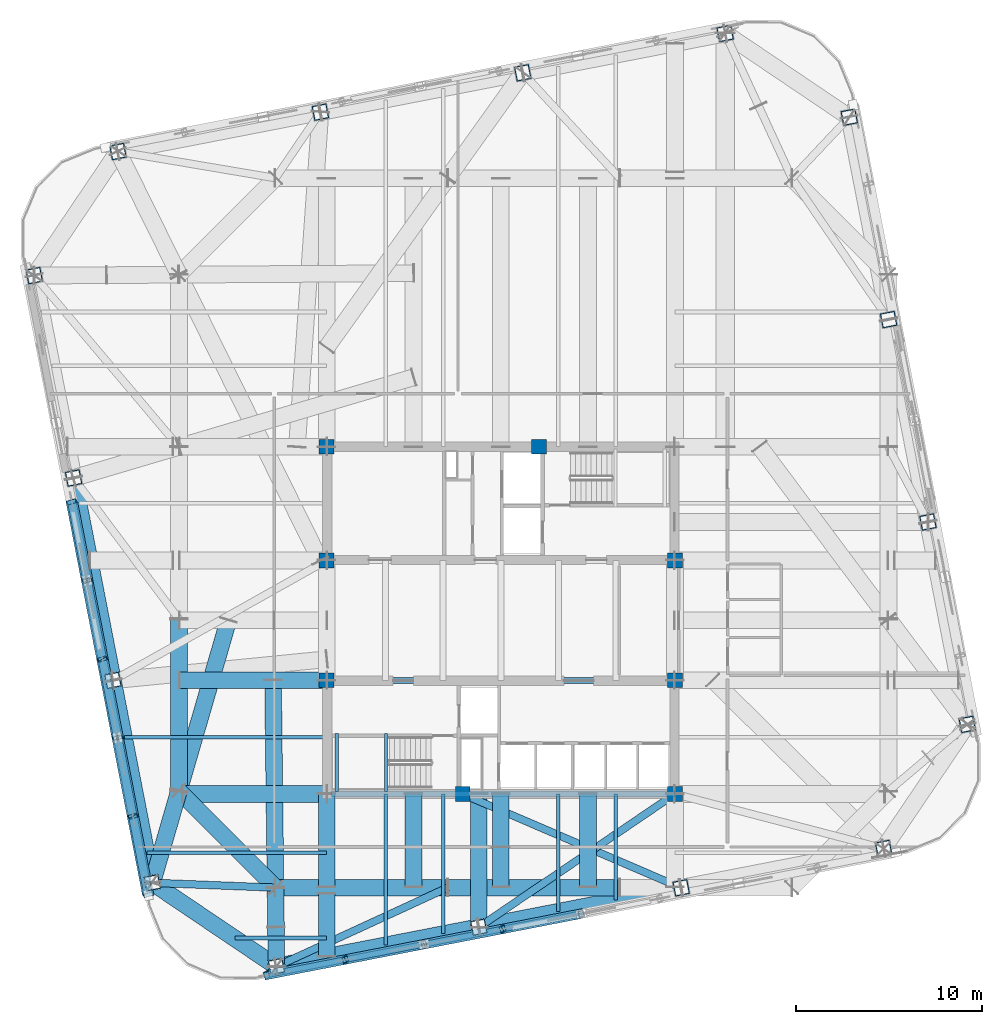
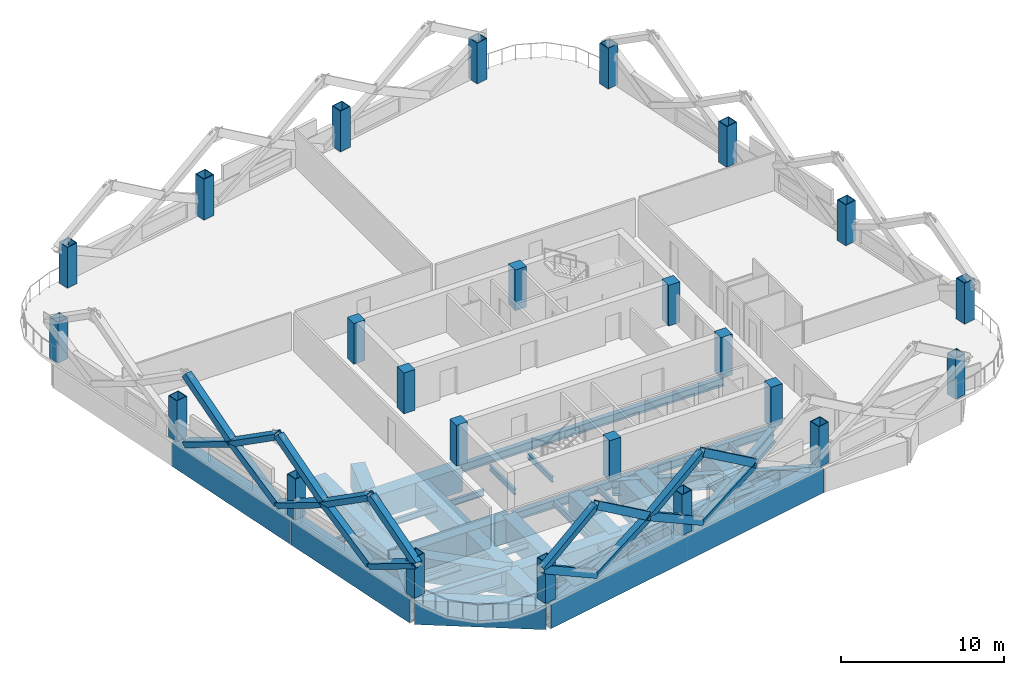
# One storey, part 1 of 14: 36 beams, 24 columns, 18 members.
"""IFC4 building model written with IfcOpenShell, lengths in metres."""

import ifcopenshell
import ifcopenshell.guid

model = None  # the IFC model being written
_history = None  # IfcOwnerHistory: only IFC2X3 demands one
_inside = {}  # id of a spatial element -> (the spatial element, [elements in it])
_under = {}  # id of a project, library or spatial element -> (it, [spatial elements below it])
_declared = {}  # id of a project -> (the project, [libraries it declares])
_typed = {}  # id of a type object -> (the type object, [elements of that type])
_made_of = {}  # id of a material, layer set ... -> (it, [elements and type objects made of it])


def new_model(schema):
    """Start an empty IFC model of exactly this schema.

    Asked for "IFC4X3", IfcOpenShell would pick the latest addendum, in which some entities
    have other attributes; the version numbers below select the first issue.
    IFC2X3 requires an IfcOwnerHistory on every rooted entity: one is made here for all.
    """
    global model, _history
    if schema == "IFC4X3":
        model = ifcopenshell.file(schema_version=(4, 3, 0, 0))
    else:
        model = ifcopenshell.file(schema=schema)
    _inside.clear()
    _under.clear()
    _declared.clear()
    _typed.clear()
    _made_of.clear()
    _history = None
    if model.schema == "IFC2X3":
        org = make("IfcOrganization", Name="unknown")
        user = make(
            "IfcPersonAndOrganization",
            ThePerson=make("IfcPerson", FamilyName="unknown"),
            TheOrganization=org,
        )
        app = make(
            "IfcApplication",
            ApplicationDeveloper=org,
            Version="unknown",
            ApplicationFullName="unknown",
            ApplicationIdentifier="unknown",
        )
        _history = make(
            "IfcOwnerHistory",
            OwningUser=user,
            OwningApplication=app,
            ChangeAction="ADDED",
            CreationDate=0,
        )
    return model


def make(cls, **values):
    """One entity of the class cls with the attributes given. An attribute that is None is left unset."""
    return model.create_entity(
        cls, **{name: value for name, value in values.items() if value is not None}
    )


def rooted(cls, **values):
    """An entity with a GlobalId (a new one), such as an element, a storey or a relation."""
    return make(cls, GlobalId=ifcopenshell.guid.new(), OwnerHistory=_history, **values)


def si_unit(unit_type, name, prefix=None):
    """IfcSIUnit, for example si_unit("LENGTHUNIT", "METRE", prefix="MILLI")."""
    return make("IfcSIUnit", UnitType=unit_type, Prefix=prefix, Name=name)


def assignment(units):
    """IfcUnitAssignment: the units of a project."""
    return None if units is None else make("IfcUnitAssignment", Units=units)


def point(xyz):
    """IfcCartesianPoint."""
    return None if xyz is None else make("IfcCartesianPoint", Coordinates=xyz)


def direction(xyz):
    """IfcDirection."""
    return None if xyz is None else make("IfcDirection", DirectionRatios=xyz)


def frame(location, z_axis=None, x_axis=None):
    """IfcAxis2Placement3D, a coordinate frame: its origin and axes. An axis left out is left unset."""
    return make(
        "IfcAxis2Placement3D",
        Location=point(location),
        Axis=direction(z_axis),
        RefDirection=direction(x_axis),
    )


def frame_2d(location, x_axis=None):
    """IfcAxis2Placement2D, a coordinate frame in the plane: its origin and x axis."""
    return make(
        "IfcAxis2Placement2D", Location=point(location), RefDirection=direction(x_axis)
    )


def origin():
    """The frame at (0, 0, 0) with its axes left unset."""
    return frame((0.0, 0.0, 0.0))


def origin_2d():
    """The frame at (0, 0) in the plane with its x axis left unset."""
    return frame_2d((0.0, 0.0))


def place(relative_to, where):
    """IfcLocalPlacement: puts the frame where relative to a parent placement (None: the world)."""
    return make(
        "IfcLocalPlacement", PlacementRelTo=relative_to, RelativePlacement=where
    )


def context(
    kind, dimensions, precision=None, world=None, true_north=None, identifier=None
):
    """IfcGeometricRepresentationContext, for example the 3D "Model" context."""
    return make(
        "IfcGeometricRepresentationContext",
        ContextIdentifier=identifier,
        ContextType=kind,
        CoordinateSpaceDimension=dimensions,
        Precision=precision,
        WorldCoordinateSystem=world,
        TrueNorth=true_north,
    )


def subcontext(parent, identifier, kind, view, scale=None):
    """IfcGeometricRepresentationSubContext, for example "Body" below "Model"."""
    return make(
        "IfcGeometricRepresentationSubContext",
        ContextIdentifier=identifier,
        ContextType=kind,
        ParentContext=parent,
        TargetScale=scale,
        TargetView=view,
    )


def project(units=None, contexts=None):
    """IfcProject with its units and contexts."""
    return rooted(
        "IfcProject",
        Name="project",
        RepresentationContexts=contexts,
        UnitsInContext=assignment(units),
    )


def spatial(cls, under=None, at=None, **own):
    """A site, building, storey or space (cls), placed at a placement, below another one or the project."""
    s = rooted(cls, ObjectPlacement=at, **own)
    if under is not None:
        _under.setdefault(under.id(), (under, []))[1].append(s)
    return s


def profile(cls, at=None, kind="AREA", **sizes):
    """A parametric profile (cls). Its sizes go by their IFC names, for example OverallWidth=200.0."""
    return make(cls, ProfileType=kind, Position=at, **sizes)


def rectangle(**sizes):
    """IfcRectangleProfileDef."""
    return profile("IfcRectangleProfileDef", **sizes)


def hollow_rectangle(**sizes):
    """IfcRectangleHollowProfileDef."""
    return profile("IfcRectangleHollowProfileDef", **sizes)


def i_section(**sizes):
    """IfcIShapeProfileDef."""
    return profile("IfcIShapeProfileDef", **sizes)


def extrude(swept, where, along, depth):
    """IfcExtrudedAreaSolid: the profile swept, set in the frame where, extruded along a direction by depth."""
    return make(
        "IfcExtrudedAreaSolid",
        SweptArea=swept,
        Position=where,
        ExtrudedDirection=direction(along),
        Depth=depth,
    )


def shape(context_of_items, identifier, shape_type, items):
    """IfcShapeRepresentation: the items that make up one representation, for example the "Body"."""
    return make(
        "IfcShapeRepresentation",
        ContextOfItems=context_of_items,
        RepresentationIdentifier=identifier,
        RepresentationType=shape_type,
        Items=items,
    )


def material(Name=None, Category=None):
    """IfcMaterial."""
    return make("IfcMaterial", Name=Name, Category=Category)


def material_profile(
    of_material, cross_section, Name=None, Category=None, Priority=None
):
    """IfcMaterialProfile: a cross section and its material."""
    return make(
        "IfcMaterialProfile",
        Name=Name,
        Material=of_material,
        Profile=cross_section,
        Priority=Priority,
        Category=Category,
    )


def profile_set(profiles, Name=None, composite=None):
    """IfcMaterialProfileSet."""
    return make(
        "IfcMaterialProfileSet",
        Name=Name,
        MaterialProfiles=profiles,
        CompositeProfile=composite,
    )


def made_of(thing, what):
    """Note that an element or type object is made of a material, layer set ...; save() writes the relation."""
    if what is not None:
        _made_of.setdefault(what.id(), (what, []))[1].append(thing)
    return thing


def type_object(cls, material=None, **own):
    """A type object (cls), such as IfcWallType, which elements share."""
    return made_of(rooted(cls, **own), material)


def element(
    cls,
    number,
    at=None,
    inside=None,
    cuts=None,
    type_object=None,
    material=None,
    context=None,
    identifier="Body",
    shape_type=None,
    held_by="IfcProductDefinitionShape",
    body=None,
    shapes=None,
    **own,
):
    """One element of the class cls, such as IfcWall. Its Tag is "e" and its number.

    at: its placement. inside: the storey or other place that contains it. cuts: it is an
    opening in that element (IfcRelVoidsElement). A single representation is given by context,
    identifier, shape_type and body (its items); several are given by shapes. held_by: the class
    of the entity that holds the representations. save() writes the other relations.
    """
    e = rooted(cls, Tag="e%d" % number, ObjectPlacement=at, **own)
    if body is not None:
        shapes = [shape(context, identifier, shape_type, body)]
    if shapes is not None:
        e.Representation = make(held_by, Representations=shapes)
    if inside is not None:
        _inside.setdefault(inside.id(), (inside, []))[1].append(e)
    if cuts is not None:
        rooted(
            "IfcRelVoidsElement", RelatingBuildingElement=cuts, RelatedOpeningElement=e
        )
    if type_object is not None:
        _typed.setdefault(type_object.id(), (type_object, []))[1].append(e)
    return made_of(e, material)


def aggregate(whole, parts):
    """IfcRelAggregates: a whole, such as a stair, and the parts it consists of."""
    return rooted("IfcRelAggregates", RelatingObject=whole, RelatedObjects=parts)


def save(model, path):
    """Write the relations noted so far, then the file.

    IfcRelAggregates (storeys below a building ...), IfcRelContainedInSpatialStructure (elements
    in a storey), IfcRelDefinesByType, IfcRelAssociatesMaterial and IfcRelDeclares: one each for
    every whole, place, type object, material and project.
    """
    for whole, parts in _under.values():
        aggregate(whole, parts)
    for where, things in _inside.values():
        rooted(
            "IfcRelContainedInSpatialStructure",
            RelatedElements=things,
            RelatingStructure=where,
        )
    for kind, things in _typed.values():
        rooted("IfcRelDefinesByType", RelatedObjects=things, RelatingType=kind)
    for what, things in _made_of.values():
        rooted("IfcRelAssociatesMaterial", RelatedObjects=things, RelatingMaterial=what)
    for by, libraries in _declared.values():
        rooted("IfcRelDeclares", RelatingContext=by, RelatedDefinitions=libraries)
    model.write(path)


model = new_model("IFC4")

# Units and contexts
model_context = context("Model", 3, precision=1e-05, world=origin(), true_north=direction((0.0, 1.0)))
body_context = subcontext(model_context, "Body", "Model", "MODEL_VIEW")
ifc_project = project(units=[si_unit("LENGTHUNIT", "METRE"), si_unit("AREAUNIT", "SQUARE_METRE"), si_unit("VOLUMEUNIT", "CUBIC_METRE"), si_unit("PLANEANGLEUNIT", "RADIAN"), si_unit("MASSUNIT", "GRAM", prefix="KILO")], contexts=[model_context])

# Site, building, storey
site_placement = place(None, origin())
site = spatial("IfcSite", under=ifc_project, at=site_placement, CompositionType="ELEMENT")
building_placement = place(site_placement, origin())
building = spatial("IfcBuilding", under=site, at=building_placement, Name="Qhalaya Broadcast Tower", CompositionType="ELEMENT")
storey_placement = place(building_placement, frame((0.0, 0.0, 112.800048828125)))
storey = spatial("IfcBuildingStorey", under=building, at=storey_placement, Name="L32", CompositionType="ELEMENT", Elevation=112.800048828125)

# Columns
ifc_material_1 = material(Name="Concrete C50/60", Category="concrete")
ifc_material_profile_1 = material_profile(ifc_material_1, rectangle(XDim=0.800048828125, YDim=0.800048828125, at=origin_2d()), Name="RC-COL 800x800")
ifc_profile_set_1 = profile_set([ifc_material_profile_1], Name="Concrete C50/60")
column_type_1 = type_object("IfcColumnType", Name="RC Upper Column C10", PredefinedType="COLUMN", material=ifc_profile_set_1)
for number, where, z_axis, x_axis, name in (
    (1, (-9.375, 9.949951171875, 0.0), (0.0, 0.0, 1.0), (1.0, 0.0, 0.0), "L32 Column COL-CC1"),
    (2, (2.050048828125, 9.949951171875, 0.0), (0.0, 0.0, 1.0), (1.0, 0.0, 0.0), "L32 Column COL-CC2"),
    (3, (-9.375, 3.824951171875, 0.0), (0.0, 0.0, 1.0), (1.0, 0.0, 0.0), "L32 Column COL-CC3"),
    (4, (9.375, 3.824951171875, 0.0), (0.0, 0.0, 1.0), (1.0, 0.0, 0.0), "L32 Column COL-CC4"),
    (5, (-9.375, -2.625, 0.0), (0.0, 0.0, 1.0), (1.0, 0.0, 0.0), "L32 Column COL-CC5"),
    (6, (9.375, -2.625, 0.0), (0.0, 0.0, 1.0), (1.0, 0.0, 0.0), "L32 Column COL-CC6"),
    (7, (-2.050048828125, -8.75, 0.0), (0.0, 0.0, 1.0), (1.0, 0.0, 0.0), "L32 Column COL-CC7"),
    (8, (9.375, -8.75, 0.0), (0.0, 0.0, 1.0), (1.0, 0.0, 0.0), "L32 Column COL-CC8"),
):
    element("IfcColumn", number, at=place(storey_placement, frame(where, z_axis=z_axis, x_axis=x_axis)), inside=storey, type_object=column_type_1, Name=name, PredefinedType="COLUMN", context=body_context, shape_type="SweptSolid", body=[
        extrude(rectangle(XDim=0.800048828125, YDim=0.800048828125, at=origin_2d()), origin(), (0.0, 0.0, 1.0), 3.050048828125),
    ])
ifc_material_2 = material(Name="Structural Steel ASTM A572 Grade 50", Category="steel")
ifc_material_profile_2 = material_profile(ifc_material_2, hollow_rectangle(XDim=0.800048828125, YDim=0.800048828125, WallThickness=0.050048828125, at=origin_2d()), Name="BOX 800x800x50")
ifc_profile_set_2 = profile_set([ifc_material_profile_2], Name="Structural Steel ASTM A572 Grade 50")
column_type_2 = type_object("IfcColumnType", Name="Steel Box Column C03", PredefinedType="COLUMN", material=ifc_profile_set_2)
for number, where, z_axis, x_axis, name in (
    (9, (-12.07958984375, -18.036376953125, 0.0), (0.0, 0.0, 1.0), (0.981627183448, 0.190808995377, 0.0), "L32 Column COL-EX01"),
    (10, (-1.183349609375, -15.91845703125, 0.0), (0.0, 0.0, 1.0), (0.981627183448, 0.190808995377, 0.0), "L32 Column COL-EX02"),
    (11, (9.712646484375, -13.80029296875, 0.0), (0.0, 0.0, 1.0), (0.981627183448, 0.190808995377, 0.0), "L32 Column COL-EX03"),
    (12, (20.608642578125, -11.682373046875, 0.0), (0.0, 0.0, 1.0), (0.981627183448, 0.190808995377, 0.0), "L32 Column COL-EX04"),
    (13, (25.1162109375, -4.99951171875, 0.0), (0.0, 0.0, 1.0), (-0.190808995377, 0.981627183448, 0.0), "L32 Column COL-EX05"),
    (14, (22.998291015625, 5.896484375, 0.0), (0.0, 0.0, 1.0), (-0.190808995377, 0.981627183448, 0.0), "L32 Column COL-EX06"),
    (15, (20.88037109375, 16.79248046875, 0.0), (0.0, 0.0, 1.0), (-0.190808995377, 0.981627183448, 0.0), "L32 Column COL-EX07"),
    (16, (18.762451171875, 27.688720703125, 0.0), (0.0, 0.0, 1.0), (-0.190808995377, 0.981627183448, 0.0), "L32 Column COL-EX08"),
    (17, (12.07958984375, 32.1962890625, 0.0), (0.0, 0.0, 1.0), (0.981627183448, 0.190808995377, 0.0), "L32 Column COL-EX09"),
    (18, (1.183349609375, 30.078369140625, 0.0), (0.0, 0.0, 1.0), (0.981627183448, 0.190808995377, 0.0), "L32 Column COL-EX10"),
    (19, (-9.712646484375, 27.96044921875, 0.0), (0.0, 0.0, 1.0), (0.981627183448, 0.190808995377, 0.0), "L32 Column COL-EX11"),
    (20, (-20.608642578125, 25.84228515625, 0.0), (0.0, 0.0, 1.0), (0.981627183448, 0.190808995377, 0.0), "L32 Column COL-EX12"),
    (21, (-25.1162109375, 19.159423828125, 0.0), (0.0, 0.0, 1.0), (-0.190808995377, 0.981627183448, 0.0), "L32 Column COL-EX13"),
    (22, (-22.998291015625, 8.263427734375, 0.0), (0.0, 0.0, 1.0), (-0.190808995377, 0.981627183448, 0.0), "L32 Column COL-EX14"),
    (23, (-20.88037109375, -2.632568359375, 0.0), (0.0, 0.0, 1.0), (-0.190808995377, 0.981627183448, 0.0), "L32 Column COL-EX15"),
    (24, (-18.762451171875, -13.52880859375, 0.0), (0.0, 0.0, 1.0), (-0.190808995377, 0.981627183448, 0.0), "L32 Column COL-EX16"),
):
    element("IfcColumn", number, at=place(storey_placement, frame(where, z_axis=z_axis, x_axis=x_axis)), inside=storey, type_object=column_type_2, Name=name, PredefinedType="COLUMN", context=body_context, shape_type="SweptSolid", body=[
        extrude(hollow_rectangle(XDim=0.800048828125, YDim=0.800048828125, WallThickness=0.050048828125, at=origin_2d()), origin(), (0.0, 0.0, 1.0), 3.050048828125),
    ])

# Beams
ifc_material_profile_3 = material_profile(ifc_material_2, hollow_rectangle(XDim=0.89990234375, YDim=1.800048828125, WallThickness=0.06005859375, at=origin_2d()), Name="BOX 900x1800x60")
ifc_profile_set_3 = profile_set([ifc_material_profile_3], Name="Structural Steel ASTM A572 Grade 50")
beam_type_1 = type_object("IfcBeamType", Name="Block Cantilever Transfer Box Girder TG1", PredefinedType="USERDEFINED", material=ifc_profile_set_3)
beam_1_placement = place(storey_placement, frame((-12.07958984375, -18.036376953125, -1.1201171875), z_axis=(0.98162878008, 0.190800781233, 0.0), x_axis=(-0.190800781233, 0.98162878008, 0.0)))
element("IfcBeam", 25, at=beam_1_placement, inside=storey, type_object=beam_type_1, Name="L32 TG1 L32-SPR-01", ObjectType="GIRDER", PredefinedType="USERDEFINED", context=body_context, shape_type="SweptSolid", body=[
    extrude(hollow_rectangle(XDim=0.89990234375, YDim=1.800048828125, WallThickness=0.06005859375, at=origin_2d()), origin(), (0.0, 0.0, 1.0), 11.10009765625),
])
for number, where, z_axis, x_axis, name in (
    (26, (-1.183349609375, -15.91845703125, -1.1201171875), (0.981623859527, 0.190826094673, 0.0), (-0.190826094673, 0.981623859527, 0.0), "L32 TG1 L32-SPR-02"),
    (27, (-22.998291015625, 8.263427734375, -1.1201171875), (0.190804900759, -0.981627979352, 0.0), (0.981627979352, 0.190804900759, 0.0), "L32 TG1 L32-SPR-14"),
):
    element("IfcBeam", number, at=place(storey_placement, frame(where, z_axis=z_axis, x_axis=x_axis)), inside=storey, type_object=beam_type_1, Name=name, ObjectType="GIRDER", PredefinedType="USERDEFINED", context=body_context, shape_type="SweptSolid", body=[
        extrude(hollow_rectangle(XDim=0.89990234375, YDim=1.800048828125, WallThickness=0.06005859375, at=origin_2d()), origin(), (0.0, 0.0, 1.0), 11.099853515625),
    ])
beam_2_placement = place(storey_placement, frame((-20.88037109375, -2.632568359375, -1.1201171875), z_axis=(0.190800781233, -0.98162878008, 0.0), x_axis=(0.98162878008, 0.190800781233, 0.0)))
element("IfcBeam", 28, at=beam_2_placement, inside=storey, type_object=beam_type_1, Name="L32 TG1 L32-SPR-15", ObjectType="GIRDER", PredefinedType="USERDEFINED", context=body_context, shape_type="SweptSolid", body=[
    extrude(hollow_rectangle(XDim=0.89990234375, YDim=1.800048828125, WallThickness=0.06005859375, at=origin_2d()), origin(), (0.0, 0.0, 1.0), 11.10009765625),
])
beam_3_placement = place(storey_placement, frame((-18.762451171875, -13.52880859375, -1.1201171875), z_axis=(0.829042088473, -0.559186208288, 0.0), x_axis=(0.559186208288, 0.829042088473, 0.0)))
element("IfcBeam", 29, at=beam_3_placement, inside=storey, type_object=beam_type_1, Name="L32 TG1 L32-SPR-16", ObjectType="GIRDER", PredefinedType="USERDEFINED", context=body_context, shape_type="SweptSolid", body=[
    extrude(hollow_rectangle(XDim=0.89990234375, YDim=1.800048828125, WallThickness=0.06005859375, at=origin_2d()), origin(), (0.0, 0.0, 1.0), 8.06103515625),
])
for number, where, z_axis, x_axis, name in (
    (30, (-12.1298828125, -13.7900390625, -1.1201171875), (1.0, 0.0, 0.0), (0.0, 1.0, 0.0), "L32 TG1 L32-TGL-01"),
    (31, (-2.86328125, -13.7900390625, -1.1201171875), (1.0, 0.0, 0.0), (0.0, 1.0, 0.0), "L32 TG1 L32-TGL-02"),
):
    element("IfcBeam", number, at=place(storey_placement, frame(where, z_axis=z_axis, x_axis=x_axis)), inside=storey, type_object=beam_type_1, Name=name, ObjectType="GIRDER", PredefinedType="USERDEFINED", context=body_context, shape_type="SweptSolid", body=[
        extrude(hollow_rectangle(XDim=0.89990234375, YDim=1.800048828125, WallThickness=0.06005859375, at=origin_2d()), origin(), (0.0, 0.0, 1.0), 9.2666015625),
    ])
beam_4_placement = place(storey_placement, frame((-17.330078125, 0.6767578125, -1.1201171875), z_axis=(0.0, -1.0, 0.0), x_axis=(1.0, 0.0, 0.0)))
element("IfcBeam", 32, at=beam_4_placement, inside=storey, type_object=beam_type_1, Name="L32 TG1 L32-TGL-15", ObjectType="GIRDER", PredefinedType="USERDEFINED", context=body_context, shape_type="SweptSolid", body=[
    extrude(hollow_rectangle(XDim=0.89990234375, YDim=1.800048828125, WallThickness=0.06005859375, at=origin_2d()), origin(), (0.0, 0.0, 1.0), 9.266845703125),
])
beam_5_placement = place(storey_placement, frame((-17.330078125, -8.590087890625, -1.1201171875), z_axis=(0.707123380132, -0.707090181851, 0.0), x_axis=(0.707090181851, 0.707123380132, 0.0)))
element("IfcBeam", 33, at=beam_5_placement, inside=storey, type_object=beam_type_1, Name="L32 TG1 L32-TGL-16", ObjectType="GIRDER", PredefinedType="USERDEFINED", context=body_context, shape_type="SweptSolid", body=[
    extrude(hollow_rectangle(XDim=0.89990234375, YDim=1.800048828125, WallThickness=0.06005859375, at=origin_2d()), origin(), (0.0, 0.0, 1.0), 7.35400390625),
])
for number, where, z_axis, x_axis, name in (
    (34, (0.0, -13.75, -1.1201171875), (0.0, 1.0, 0.0), (-1.0, 0.0, 0.0), "L32 TG1 L32-TGIMS-1"),
    (35, (-4.699951171875, -13.75, -1.1201171875), (0.0, 1.0, 0.0), (-1.0, 0.0, 0.0), "L32 TG1 L32-TGIMSW-1"),
    (36, (4.699951171875, -13.75, -1.1201171875), (0.0, 1.0, 0.0), (-1.0, 0.0, 0.0), "L32 TG1 L32-TGIMSE-1"),
    (37, (-9.375, -13.75, -1.1201171875), (0.0, 1.0, 0.0), (-1.0, 0.0, 0.0), "L32 TG1 L32-TGISW-1"),
):
    element("IfcBeam", number, at=place(storey_placement, frame(where, z_axis=z_axis, x_axis=x_axis)), inside=storey, type_object=beam_type_1, Name=name, ObjectType="GIRDER", PredefinedType="USERDEFINED", context=body_context, shape_type="SweptSolid", body=[
        extrude(hollow_rectangle(XDim=0.89990234375, YDim=1.800048828125, WallThickness=0.06005859375, at=origin_2d()), origin(), (0.0, 0.0, 1.0), 5.0),
    ])
beam_6_placement = place(storey_placement, frame((-17.11328125, -8.75, -1.1201171875), z_axis=(1.0, 0.0, 0.0), x_axis=(0.0, 1.0, 0.0)))
element("IfcBeam", 38, at=beam_6_placement, inside=storey, type_object=beam_type_1, Name="L32 TG1 L32-TGIY1W-1", ObjectType="GIRDER", PredefinedType="USERDEFINED", context=body_context, shape_type="SweptSolid", body=[
    extrude(hollow_rectangle(XDim=0.89990234375, YDim=1.800048828125, WallThickness=0.06005859375, at=origin_2d()), origin(), (0.0, 0.0, 1.0), 7.73828125),
])
beam_7_placement = place(storey_placement, frame((-17.2900390625, -2.625, -1.1201171875), z_axis=(1.0, 0.0, 0.0), x_axis=(0.0, 1.0, 0.0)))
element("IfcBeam", 39, at=beam_7_placement, inside=storey, type_object=beam_type_1, Name="L32 TG1 L32-TGIY2W-1", ObjectType="GIRDER", PredefinedType="USERDEFINED", context=body_context, shape_type="SweptSolid", body=[
    extrude(hollow_rectangle(XDim=0.89990234375, YDim=1.800048828125, WallThickness=0.06005859375, at=origin_2d()), origin(), (0.0, 0.0, 1.0), 7.9150390625),
])
beam_8_placement = place(storey_placement, frame((-12.2626953125, -2.625, -1.1201171875), z_axis=(0.011894549025, -0.999929257349, 0.0), x_axis=(0.999929257349, 0.011894549025, 0.0)))
element("IfcBeam", 40, at=beam_8_placement, inside=storey, type_object=beam_type_1, Name="L32 Collinear Back-Span Transfer Box Girder 01", ObjectType="GIRDER", PredefinedType="USERDEFINED", context=body_context, shape_type="SweptSolid", body=[
    extrude(hollow_rectangle(XDim=0.89990234375, YDim=1.800048828125, WallThickness=0.06005859375, at=origin_2d()), origin(), (0.0, 0.0, 1.0), 11.165771484375),
])
beam_9_placement = place(storey_placement, frame((-12.1298828125, -13.7900390625, -1.1201171875), z_axis=(0.011843014605, -0.999929869043, 0.0), x_axis=(0.999929869043, 0.011843014605, 0.0)))
element("IfcBeam", 41, at=beam_9_placement, inside=storey, type_object=beam_type_1, Name="L32 Cantilever Transfer Box Girder 01", ObjectType="GIRDER", PredefinedType="USERDEFINED", context=body_context, shape_type="SweptSolid", body=[
    extrude(hollow_rectangle(XDim=0.89990234375, YDim=1.800048828125, WallThickness=0.06005859375, at=origin_2d()), origin(), (0.0, 0.0, 1.0), 4.24658203125),
])
beam_10_placement = place(storey_placement, frame((-1.183349609375, -8.75, -1.1201171875), z_axis=(0.0, -1.0, 0.0), x_axis=(1.0, 0.0, 0.0)))
element("IfcBeam", 42, at=beam_10_placement, inside=storey, type_object=beam_type_1, Name="L32 Continuous Cantilever Transfer Box Girder 02", ObjectType="GIRDER", PredefinedType="USERDEFINED", context=body_context, shape_type="SweptSolid", body=[
    extrude(hollow_rectangle(XDim=0.89990234375, YDim=1.800048828125, WallThickness=0.06005859375, at=origin_2d()), origin(), (0.0, 0.0, 1.0), 7.16845703125),
])
beam_11_placement = place(storey_placement, frame((-14.66455078125, 0.60009765625, -1.1201171875), z_axis=(-0.278560458006, -0.960418695797, 0.0), x_axis=(0.960418695797, -0.278560458006, 0.0)))
element("IfcBeam", 43, at=beam_11_placement, inside=storey, type_object=beam_type_1, Name="L32 Collinear Back-Span Transfer Box Girder 16", ObjectType="GIRDER", PredefinedType="USERDEFINED", context=body_context, shape_type="SweptSolid", body=[
    extrude(hollow_rectangle(XDim=0.89990234375, YDim=1.800048828125, WallThickness=0.06005859375, at=origin_2d()), origin(), (0.0, 0.0, 1.0), 9.56884765625),
])
beam_12_placement = place(storey_placement, frame((-17.330078125, -8.590087890625, -1.1201171875), z_axis=(-0.278550288817, -0.960421645216, 0.0), x_axis=(0.960421645216, -0.278550288817, 0.0)))
element("IfcBeam", 44, at=beam_12_placement, inside=storey, type_object=beam_type_1, Name="L32 Cantilever Transfer Box Girder 16", ObjectType="GIRDER", PredefinedType="USERDEFINED", context=body_context, shape_type="SweptSolid", body=[
    extrude(hollow_rectangle(XDim=0.89990234375, YDim=1.800048828125, WallThickness=0.06005859375, at=origin_2d()), origin(), (0.0, 0.0, 1.0), 5.142333984375),
])
beam_13_placement = place(storey_placement, frame((-9.375, -17.490234375, -1.1201171875), z_axis=(0.0, 1.0, 0.0), x_axis=(-1.0, 0.0, 0.0)))
element("IfcBeam", 45, at=beam_13_placement, inside=storey, type_object=beam_type_1, Name="L32 TG1 L32-PGXS1-OV1", ObjectType="GIRDER", PredefinedType="USERDEFINED", context=body_context, shape_type="SweptSolid", body=[
    extrude(hollow_rectangle(XDim=0.89990234375, YDim=1.800048828125, WallThickness=0.06005859375, at=origin_2d()), origin(), (0.0, 0.0, 1.0), 3.3603515625),
])
ifc_material_3 = material(Name="Structural Steel ASTM A992 Grade 50", Category="steel")
ifc_material_profile_4 = material_profile(ifc_material_3, i_section(OverallWidth=0.19189453125, OverallDepth=0.462890625, WebThickness=0.010498046875, FlangeThickness=0.017578125, at=origin_2d()), Name="W18X60")
ifc_profile_set_4 = profile_set([ifc_material_profile_4], Name="Structural Steel ASTM A992 Grade 50")
beam_type_2 = type_object("IfcBeamType", Name="Composite Floor Joist J03", PredefinedType="JOIST", material=ifc_profile_set_4)
beam_14_placement = place(storey_placement, frame((-6.199951171875, -16.873046875, -0.45166015625), z_axis=(0.0, 1.0, 0.0), x_axis=(-1.0, 0.0, 0.0)))
element("IfcBeam", 46, at=beam_14_placement, inside=storey, type_object=beam_type_2, Name="L32 J03 L32-JNS1-1", PredefinedType="JOIST", context=body_context, shape_type="SweptSolid", body=[
    extrude(i_section(OverallWidth=0.19189453125, OverallDepth=0.462890625, WebThickness=0.010498046875, FlangeThickness=0.017578125, at=origin_2d()), origin(), (0.0, 0.0, 1.0), 8.123046875),
])
beam_15_placement = place(storey_placement, frame((-3.10009765625, -16.2705078125, -0.45166015625), z_axis=(0.0, 1.0, 0.0), x_axis=(-1.0, 0.0, 0.0)))
element("IfcBeam", 47, at=beam_15_placement, inside=storey, type_object=beam_type_2, Name="L32 J03 L32-JNS2-1", PredefinedType="JOIST", context=body_context, shape_type="SweptSolid", body=[
    extrude(i_section(OverallWidth=0.19189453125, OverallDepth=0.462890625, WebThickness=0.010498046875, FlangeThickness=0.017578125, at=origin_2d()), origin(), (0.0, 0.0, 1.0), 7.5205078125),
])
beam_16_placement = place(storey_placement, frame((3.10009765625, -15.0654296875, -0.45166015625), z_axis=(0.0, 1.0, 0.0), x_axis=(-1.0, 0.0, 0.0)))
element("IfcBeam", 48, at=beam_16_placement, inside=storey, type_object=beam_type_2, Name="L32 J03 L32-JNS4-1", PredefinedType="JOIST", context=body_context, shape_type="SweptSolid", body=[
    extrude(i_section(OverallWidth=0.19189453125, OverallDepth=0.462890625, WebThickness=0.010498046875, FlangeThickness=0.017578125, at=origin_2d()), origin(), (0.0, 0.0, 1.0), 6.3154296875),
])
beam_17_placement = place(storey_placement, frame((6.199951171875, -14.462890625, -0.45166015625), z_axis=(0.0, 1.0, 0.0), x_axis=(-1.0, 0.0, 0.0)))
element("IfcBeam", 49, at=beam_17_placement, inside=storey, type_object=beam_type_2, Name="L32 J03 L32-JNS5-1", PredefinedType="JOIST", context=body_context, shape_type="SweptSolid", body=[
    extrude(i_section(OverallWidth=0.19189453125, OverallDepth=0.462890625, WebThickness=0.010498046875, FlangeThickness=0.017578125, at=origin_2d()), origin(), (0.0, 0.0, 1.0), 5.712890625),
])
beam_18_placement = place(storey_placement, frame((-14.3212890625, -16.5, -0.45166015625), z_axis=(1.0, 0.0, 0.0), x_axis=(0.0, 1.0, 0.0)))
element("IfcBeam", 50, at=beam_18_placement, inside=storey, type_object=beam_type_2, Name="L32 J03 L32-JWE1W-1", PredefinedType="JOIST", context=body_context, shape_type="SweptSolid", body=[
    extrude(i_section(OverallWidth=0.19189453125, OverallDepth=0.462890625, WebThickness=0.010498046875, FlangeThickness=0.017578125, at=origin_2d()), origin(), (0.0, 0.0, 1.0), 4.9462890625),
])
beam_19_placement = place(storey_placement, frame((-19.05859375, -11.89990234375, -0.45166015625), z_axis=(1.0, 0.0, 0.0), x_axis=(0.0, 1.0, 0.0)))
element("IfcBeam", 51, at=beam_19_placement, inside=storey, type_object=beam_type_2, Name="L32 J03 L32-JWE2W-1", PredefinedType="JOIST", context=body_context, shape_type="SweptSolid", body=[
    extrude(i_section(OverallWidth=0.19189453125, OverallDepth=0.462890625, WebThickness=0.010498046875, FlangeThickness=0.017578125, at=origin_2d()), origin(), (0.0, 0.0, 1.0), 9.68359375),
])
beam_20_placement = place(storey_placement, frame((-20.263916015625, -5.699951171875, -0.45166015625), z_axis=(1.0, 0.0, 0.0), x_axis=(0.0, 1.0, 0.0)))
element("IfcBeam", 52, at=beam_20_placement, inside=storey, type_object=beam_type_2, Name="L32 J03 L32-JWE3W-1", PredefinedType="JOIST", context=body_context, shape_type="SweptSolid", body=[
    extrude(i_section(OverallWidth=0.19189453125, OverallDepth=0.462890625, WebThickness=0.010498046875, FlangeThickness=0.017578125, at=origin_2d()), origin(), (0.0, 0.0, 1.0), 10.888916015625),
])
ifc_material_profile_5 = material_profile(ifc_material_3, i_section(OverallWidth=0.323974609375, OverallDepth=0.612060546875, WebThickness=0.0126953125, FlangeThickness=0.01904296875, at=origin_2d()), Name="W24X104")
ifc_profile_set_5 = profile_set([ifc_material_profile_5], Name="Structural Steel ASTM A992 Grade 50")
beam_type_3 = type_object("IfcBeamType", Name="Core Frame Tie Beam B04", PredefinedType="BEAM", material=ifc_profile_set_5)
beam_21_placement = place(storey_placement, frame((-9.375, -2.625, -0.526123046875), z_axis=(1.0, 0.0, 0.0), x_axis=(0.0, 1.0, 0.0)))
element("IfcBeam", 53, at=beam_21_placement, inside=storey, type_object=beam_type_3, Name="L32 B04 L32-CCS1", PredefinedType="BEAM", context=body_context, shape_type="SweptSolid", body=[
    extrude(i_section(OverallWidth=0.323974609375, OverallDepth=0.612060546875, WebThickness=0.0126953125, FlangeThickness=0.01904296875, at=origin_2d()), origin(), (0.0, 0.0, 1.0), 18.75),
])
beam_22_placement = place(storey_placement, frame((-9.1201171875, -8.75, -0.526123046875), z_axis=(1.0, 0.0, 0.0), x_axis=(0.0, 1.0, 0.0)))
element("IfcBeam", 54, at=beam_22_placement, inside=storey, type_object=beam_type_3, Name="L32 B04 L32-CCS3", PredefinedType="BEAM", context=body_context, shape_type="SweptSolid", body=[
    extrude(i_section(OverallWidth=0.323974609375, OverallDepth=0.612060546875, WebThickness=0.0126953125, FlangeThickness=0.01904296875, at=origin_2d()), origin(), (0.0, 0.0, 1.0), 18.4951171875),
])

# Members
ifc_material_profile_6 = material_profile(ifc_material_2, hollow_rectangle(XDim=0.419921875, YDim=0.550048828125, WallThickness=0.028076171875, at=origin_2d()), Name="BOX 420x550x28")
ifc_profile_set_6 = profile_set([ifc_material_profile_6], Name="Structural Steel ASTM A572 Grade 50")
member_type = type_object("IfcMemberType", Name="Exoskeleton Diamond Diagonal Mid-Low EX2", PredefinedType="BRACE", material=ifc_profile_set_6)
for number, where, z_axis, x_axis, name in (
    (55, (-8.370361328125, -17.66162109375, 0.35986328125), (-0.863618006517, -0.167902203124, 0.475365952719), (0.276374553568, -0.946274942687, 0.167871495444), "B3 Exoskeleton Diamond Brace S1-D1"),
    (56, (-8.370361328125, -17.66162109375, 0.35986328125), (0.86362522784, 0.167853798825, 0.475369927591), (-0.276322709835, 0.946290155626, 0.167871085642), "B3 Exoskeleton Diamond Brace S1-D2"),
):
    element("IfcMember", number, at=place(storey_placement, frame(where, z_axis=z_axis, x_axis=x_axis)), inside=storey, type_object=member_type, Name=name, PredefinedType="BRACE", context=body_context, shape_type="SweptSolid", body=[
        extrude(hollow_rectangle(XDim=0.419921875, YDim=0.550048828125, WallThickness=0.028076171875, at=origin_2d()), origin(), (0.0, 0.0, 1.0), 4.901611328125),
    ])
for number, where, z_axis, x_axis, name in (
    (57, (-12.603515625, -18.484619140625, 2.68994140625), (0.822423775729, 0.159893335716, 0.545942537553), (-0.289593689204, 0.943704915221, 0.15986409278), "B3 Exoskeleton Diamond Brace S1-D3"),
    (58, (-4.13720703125, -16.8388671875, 2.68994140625), (-0.822430012189, -0.159847115813, 0.545946677449), (0.289542019185, -0.943720856791, 0.159863578043), "B3 Exoskeleton Diamond Brace S1-D4"),
):
    element("IfcMember", number, at=place(storey_placement, frame(where, z_axis=z_axis, x_axis=x_axis)), inside=storey, type_object=member_type, Name=name, PredefinedType="BRACE", context=body_context, shape_type="SweptSolid", body=[
        extrude(hollow_rectangle(XDim=0.419921875, YDim=0.550048828125, WallThickness=0.028076171875, at=origin_2d()), origin(), (0.0, 0.0, 1.0), 5.147216796875),
    ])
for number, where, z_axis, x_axis, name in (
    (59, (0.09619140625, -16.01611328125, 0.35986328125), (-0.863637885863, -0.16784657874, 0.47534947997), (0.276308659238, -0.946293884406, 0.167873193708), "B3 Exoskeleton Diamond Brace S2-D1"),
    (60, (0.09619140625, -16.01611328125, 0.35986328125), (0.863630665056, 0.167894981079, 0.475345505611), (-0.276360500461, 0.946278673042, 0.167873603434), "B3 Exoskeleton Diamond Brace S2-D2"),
):
    element("IfcMember", number, at=place(storey_placement, frame(where, z_axis=z_axis, x_axis=x_axis)), inside=storey, type_object=member_type, Name=name, PredefinedType="BRACE", context=body_context, shape_type="SweptSolid", body=[
        extrude(hollow_rectangle(XDim=0.419921875, YDim=0.550048828125, WallThickness=0.028076171875, at=origin_2d()), origin(), (0.0, 0.0, 1.0), 4.90185546875),
    ])
member_1_placement = place(storey_placement, frame((-4.13720703125, -16.8388671875, 2.68994140625), z_axis=(0.822445360829, 0.159840880392, 0.545925380804), x_axis=(-0.289527837313, 0.943724759255, 0.159866225918)))
element("IfcMember", 61, at=member_1_placement, inside=storey, type_object=member_type, Name="B3 Exoskeleton Diamond Brace S2-D3", PredefinedType="BRACE", context=body_context, shape_type="SweptSolid", body=[
    extrude(hollow_rectangle(XDim=0.419921875, YDim=0.550048828125, WallThickness=0.028076171875, at=origin_2d()), origin(), (0.0, 0.0, 1.0), 5.147216796875),
])
member_2_placement = place(storey_placement, frame((4.32958984375, -15.193115234375, 2.68994140625), z_axis=(-0.822439124739, -0.159887098587, 0.545921241393), x_axis=(0.289579504833, -0.943708819309, 0.159866740566)))
element("IfcMember", 62, at=member_2_placement, inside=storey, type_object=member_type, Name="B3 Exoskeleton Diamond Brace S2-D4", PredefinedType="BRACE", context=body_context, shape_type="SweptSolid", body=[
    extrude(hollow_rectangle(XDim=0.419921875, YDim=0.550048828125, WallThickness=0.028076171875, at=origin_2d()), origin(), (0.0, 0.0, 1.0), 5.1474609375),
])
member_3_placement = place(storey_placement, frame((-23.095947265625, 6.98388671875, 0.35986328125), z_axis=(0.16784657874, -0.863637885863, 0.47534947997), x_axis=(-0.276324827587, 0.421643364625, 0.863632712863)))
element("IfcMember", 63, at=member_3_placement, inside=storey, type_object=member_type, Name="B3 Exoskeleton Diamond Brace W2-D2", PredefinedType="BRACE", context=body_context, shape_type="SweptSolid", body=[
    extrude(hollow_rectangle(XDim=0.419921875, YDim=0.550048828125, WallThickness=0.028076171875, at=origin_2d()), origin(), (0.0, 0.0, 1.0), 4.90185546875),
])
member_4_placement = place(storey_placement, frame((-22.273193359375, 2.75048828125, 2.68994140625), z_axis=(-0.159840880392, 0.822445360829, 0.545925380804), x_axis=(0.289541830698, -0.489650140275, 0.822440434563)))
element("IfcMember", 64, at=member_4_placement, inside=storey, type_object=member_type, Name="B3 Exoskeleton Diamond Brace W2-D4", PredefinedType="BRACE", context=body_context, shape_type="SweptSolid", body=[
    extrude(hollow_rectangle(XDim=0.419921875, YDim=0.550048828125, WallThickness=0.028076171875, at=origin_2d()), origin(), (0.0, 0.0, 1.0), 5.147216796875),
])
member_5_placement = place(storey_placement, frame((-21.4501953125, -1.482666015625, 0.35986328125), z_axis=(-0.167902203124, 0.863618006517, 0.475365952719), x_axis=(0.276355899211, -0.421640895738, 0.863623976052)))
element("IfcMember", 65, at=member_5_placement, inside=storey, type_object=member_type, Name="B3 Exoskeleton Diamond Brace W3-D1", PredefinedType="BRACE", context=body_context, shape_type="SweptSolid", body=[
    extrude(hollow_rectangle(XDim=0.419921875, YDim=0.550048828125, WallThickness=0.028076171875, at=origin_2d()), origin(), (0.0, 0.0, 1.0), 4.901611328125),
])
member_6_placement = place(storey_placement, frame((-21.4501953125, -1.482666015625, 0.35986328125), z_axis=(0.16784657874, -0.863637885863, 0.47534947997), x_axis=(-0.276324827587, 0.421643364625, 0.863632712863)))
element("IfcMember", 66, at=member_6_placement, inside=storey, type_object=member_type, Name="B3 Exoskeleton Diamond Brace W3-D2", PredefinedType="BRACE", context=body_context, shape_type="SweptSolid", body=[
    extrude(hollow_rectangle(XDim=0.419921875, YDim=0.550048828125, WallThickness=0.028076171875, at=origin_2d()), origin(), (0.0, 0.0, 1.0), 4.90185546875),
])
for number, where, z_axis, x_axis, name in (
    (67, (-22.273193359375, 2.75048828125, 2.68994140625), (0.159893335716, -0.822423775729, 0.545942537553), (-0.289577544331, 0.489647453062, 0.822429460519), "B3 Exoskeleton Diamond Brace W3-D3"),
    (68, (-20.62744140625, -5.716064453125, 2.68994140625), (-0.159840880392, 0.822445360829, 0.545925380804), (0.289541830698, -0.489650140275, 0.822440434563), "B3 Exoskeleton Diamond Brace W3-D4"),
):
    element("IfcMember", number, at=place(storey_placement, frame(where, z_axis=z_axis, x_axis=x_axis)), inside=storey, type_object=member_type, Name=name, PredefinedType="BRACE", context=body_context, shape_type="SweptSolid", body=[
        extrude(hollow_rectangle(XDim=0.419921875, YDim=0.550048828125, WallThickness=0.028076171875, at=origin_2d()), origin(), (0.0, 0.0, 1.0), 5.147216796875),
    ])
member_7_placement = place(storey_placement, frame((-19.804443359375, -9.94921875, 0.35986328125), z_axis=(-0.167902203124, 0.863618006517, 0.475365952719), x_axis=(0.276355899211, -0.421640895738, 0.863623976052)))
element("IfcMember", 69, at=member_7_placement, inside=storey, type_object=member_type, Name="B3 Exoskeleton Diamond Brace W4-D1", PredefinedType="BRACE", context=body_context, shape_type="SweptSolid", body=[
    extrude(hollow_rectangle(XDim=0.419921875, YDim=0.550048828125, WallThickness=0.028076171875, at=origin_2d()), origin(), (0.0, 0.0, 1.0), 4.901611328125),
])
member_8_placement = place(storey_placement, frame((-19.804443359375, -9.94921875, 0.35986328125), z_axis=(0.16784657874, -0.863637885863, 0.47534947997), x_axis=(-0.276324827587, 0.421643364625, 0.863632712863)))
element("IfcMember", 70, at=member_8_placement, inside=storey, type_object=member_type, Name="B3 Exoskeleton Diamond Brace W4-D2", PredefinedType="BRACE", context=body_context, shape_type="SweptSolid", body=[
    extrude(hollow_rectangle(XDim=0.419921875, YDim=0.550048828125, WallThickness=0.028076171875, at=origin_2d()), origin(), (0.0, 0.0, 1.0), 4.90185546875),
])
for number, where, z_axis, x_axis, name in (
    (71, (-20.62744140625, -5.716064453125, 2.68994140625), (0.159893335716, -0.822423775729, 0.545942537553), (-0.289577544331, 0.489647453062, 0.822429460519), "B3 Exoskeleton Diamond Brace W4-D3"),
    (72, (-18.981689453125, -14.1826171875, 2.68994140625), (-0.159840880392, 0.822445360829, 0.545925380804), (0.289541830698, -0.489650140275, 0.822440434563), "B3 Exoskeleton Diamond Brace W4-D4"),
):
    element("IfcMember", number, at=place(storey_placement, frame(where, z_axis=z_axis, x_axis=x_axis)), inside=storey, type_object=member_type, Name=name, PredefinedType="BRACE", context=body_context, shape_type="SweptSolid", body=[
        extrude(hollow_rectangle(XDim=0.419921875, YDim=0.550048828125, WallThickness=0.028076171875, at=origin_2d()), origin(), (0.0, 0.0, 1.0), 5.147216796875),
    ])

# Beams
ifc_material_profile_7 = material_profile(ifc_material_3, i_section(OverallWidth=0.404052734375, OverallDepth=1.117919921875, WebThickness=0.026123046875, FlangeThickness=0.044921875, at=origin_2d()), Name="W44X335")
ifc_profile_set_7 = profile_set([ifc_material_profile_7], Name="Structural Steel ASTM A992 Grade 50")
beam_type_4 = type_object("IfcBeamType", Name="Podium Long-Span Primary Girder PG1", PredefinedType="USERDEFINED", material=ifc_profile_set_7)
beam_23_placement = place(storey_placement, frame((-2.86328125, -13.7900390625, -0.779052734375), z_axis=(-0.908234519579, -0.418461536398, 0.0), x_axis=(0.418461536398, -0.908234519579, 0.0)))
element("IfcBeam", 73, at=beam_23_placement, inside=storey, type_object=beam_type_4, Name="L32 Column-to-Column Moment Tie Girder 01-2", ObjectType="GIRDER", PredefinedType="USERDEFINED", context=body_context, shape_type="SweptSolid", body=[
    extrude(i_section(OverallWidth=0.404052734375, OverallDepth=1.117919921875, WebThickness=0.026123046875, FlangeThickness=0.044921875, at=origin_2d()), origin(), (0.0, 0.0, 1.0), 10.1474609375),
])
beam_24_placement = place(storey_placement, frame((9.375, -8.75, -0.779052734375), z_axis=(-0.827335118654, -0.561708644621, 0.0), x_axis=(0.561708644621, -0.827335118654, 0.0)))
element("IfcBeam", 74, at=beam_24_placement, inside=storey, type_object=beam_type_4, Name="L32 Column-to-Column Moment Tie Girder 02-2", ObjectType="GIRDER", PredefinedType="USERDEFINED", context=body_context, shape_type="SweptSolid", body=[
    extrude(i_section(OverallWidth=0.404052734375, OverallDepth=1.117919921875, WebThickness=0.026123046875, FlangeThickness=0.044921875, at=origin_2d()), origin(), (0.0, 0.0, 1.0), 12.761962890625),
])
beam_25_placement = place(storey_placement, frame((-2.050048828125, -8.75, -0.779052734375), z_axis=(0.91888637442, -0.394522281886, 0.0), x_axis=(0.394522281886, 0.91888637442, 0.0)))
element("IfcBeam", 75, at=beam_25_placement, inside=storey, type_object=beam_type_4, Name="L32 Column-to-Column Moment Tie Girder 03-3", ObjectType="GIRDER", PredefinedType="USERDEFINED", context=body_context, shape_type="SweptSolid", body=[
    extrude(i_section(OverallWidth=0.404052734375, OverallDepth=1.117919921875, WebThickness=0.026123046875, FlangeThickness=0.044921875, at=origin_2d()), origin(), (0.0, 0.0, 1.0), 12.801025390625),
])
beam_26_placement = place(storey_placement, frame((-12.1298828125, -13.7900390625, -0.779052734375), z_axis=(-0.999225271958, 0.039355506349, 0.0), x_axis=(-0.039355506349, -0.999225271958, 0.0)))
element("IfcBeam", 76, at=beam_26_placement, inside=storey, type_object=beam_type_4, Name="L32 Column-to-Column Moment Tie Girder 16-2", ObjectType="GIRDER", PredefinedType="USERDEFINED", context=body_context, shape_type="SweptSolid", body=[
    extrude(i_section(OverallWidth=0.404052734375, OverallDepth=1.117919921875, WebThickness=0.026123046875, FlangeThickness=0.044921875, at=origin_2d()), origin(), (0.0, 0.0, 1.0), 6.6376953125),
])
ifc_material_profile_8 = material_profile(ifc_material_3, i_section(OverallWidth=0.177978515625, OverallDepth=0.406005859375, WebThickness=0.0078125, FlangeThickness=0.0126953125, at=origin_2d()), Name="W16X40")
ifc_profile_set_8 = profile_set([ifc_material_profile_8], Name="Structural Steel ASTM A992 Grade 50")
beam_type_5 = type_object("IfcBeamType", Name="Upper Perimeter Spandrel Beam SP2", PredefinedType="SPANDREL", material=ifc_profile_set_8)
for number, where, z_axis, x_axis, name in (
    (77, (-8.830078125, -8.6201171875, 1.1220703125), (0.0, 1.0, 0.0), (-1.0, 0.0, 0.0), "L32 ST-2 Half-Landing Bearer Beam 1"),
    (78, (-6.175048828125, -8.6201171875, 1.1220703125), (0.0, 1.0, 0.0), (-1.0, 0.0, 0.0), "L32 ST-2 Half-Landing Bearer Beam 2"),
):
    element("IfcBeam", number, at=place(storey_placement, frame(where, z_axis=z_axis, x_axis=x_axis)), inside=storey, type_object=beam_type_5, Name=name, PredefinedType="SPANDREL", context=body_context, shape_type="SweptSolid", body=[
        extrude(i_section(OverallWidth=0.177978515625, OverallDepth=0.406005859375, WebThickness=0.0078125, FlangeThickness=0.0126953125, at=origin_2d()), origin(), (0.0, 0.0, 1.0), 3.1201171875),
    ])

save(model, "model.ifc")
